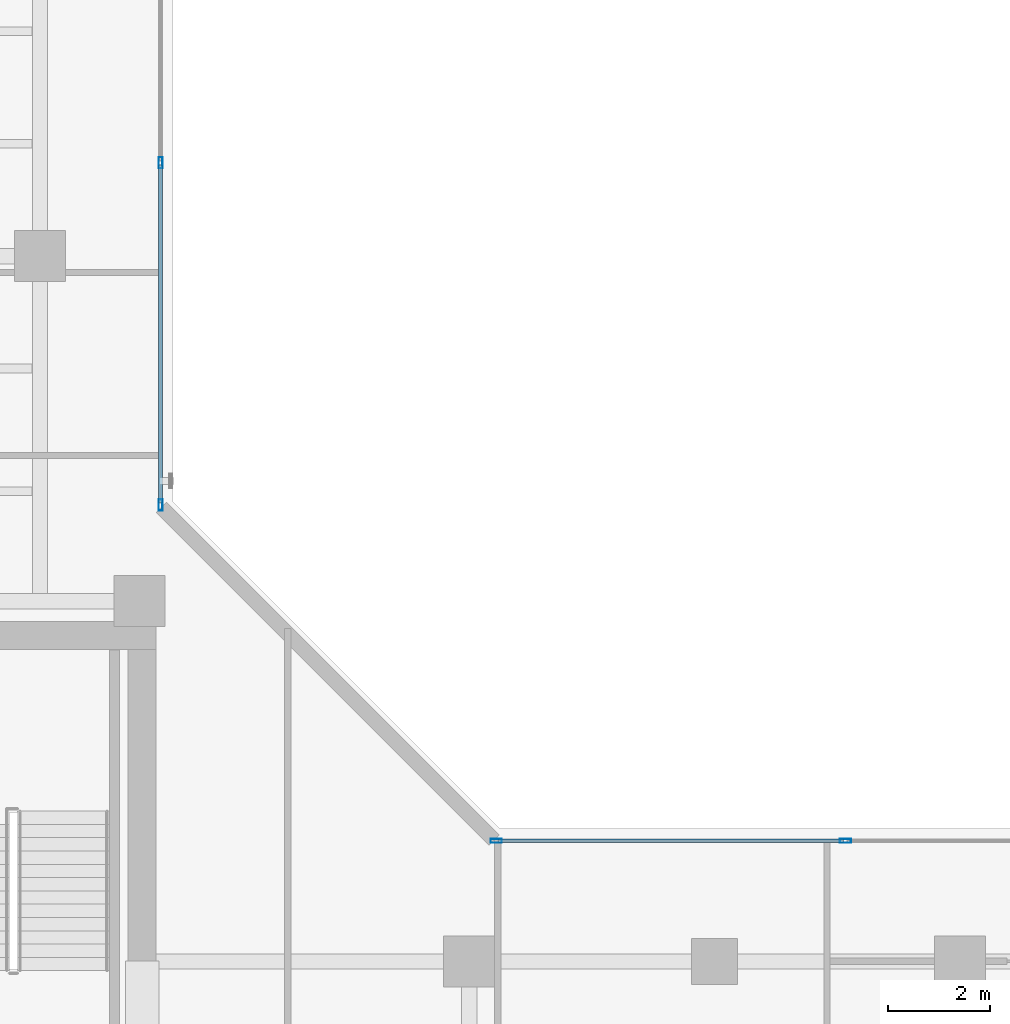
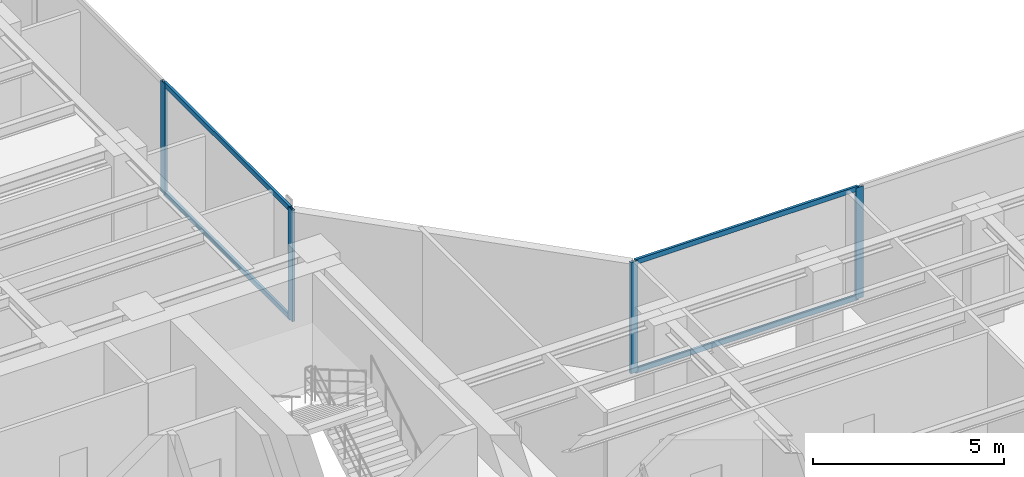
# One storey, part 10 of 23: 8 members, 2 elements without a shape of their own.
"""IFC4 building model written with IfcOpenShell, lengths in metres."""

from ifc_helpers import new_model, si_unit, direction, frame, origin, origin_with_axes, origin_2d, place, context, subcontext, project, spatial, hollow_rectangle, extrude, source, transform, mapped, material, layer, layer_set, material_profile, profile_set, type_object, element, aggregate, save


model = new_model("IFC4")

# Units and contexts
model_context = context("Model", 3, precision=1e-05, world=origin(), true_north=direction((0.0, 1.0)))
body_context = subcontext(model_context, "Body", "Model", "MODEL_VIEW")
ifc_project = project(units=[si_unit("LENGTHUNIT", "METRE"), si_unit("AREAUNIT", "SQUARE_METRE"), si_unit("VOLUMEUNIT", "CUBIC_METRE"), si_unit("PLANEANGLEUNIT", "RADIAN"), si_unit("MASSUNIT", "GRAM", prefix="KILO")], contexts=[model_context])

# Site, building, storey
site_placement = place(None, origin())
site = spatial("IfcSite", under=ifc_project, at=site_placement, CompositionType="ELEMENT")
building_placement = place(site_placement, origin())
building = spatial("IfcBuilding", under=site, at=building_placement, Name="Kolvaren Waterfront Exchange", CompositionType="ELEMENT")
storey_placement = place(building_placement, frame((0.0, 0.0, 231.10009765625)))
storey = spatial("IfcBuildingStorey", under=building, at=storey_placement, Name="L59", CompositionType="ELEMENT", Elevation=231.10009765625)

# Curtain wall, members
ifc_material_1 = material(Name="Anodised bronze aluminium 6063-T6", Category="aluminium")
ifc_layer = layer(ifc_material_1, 0.219970703125, Name="Anodised bronze aluminium 6063-T6")
ifc_layer_set = layer_set([ifc_layer], Name="Anodised bronze aluminium 6063-T6")
curtain_wall_type = type_object("IfcCurtainWallType", Name="ARC-CW-SYS1", PredefinedType="USERDEFINED", material=ifc_layer_set)
curtain_wall_1_placement = place(storey_placement, origin())
curtain_wall_1 = element("IfcCurtainWall", 1, at=curtain_wall_1_placement, inside=storey, type_object=curtain_wall_type, Name="L59 stick curtain wall CW1 (CW-L59-NE)", ObjectType="STICK CURTAIN WALL", PredefinedType="USERDEFINED")
ifc_material_2 = material(Name="Anodised aluminium 6063-T6", Category="aluminium")
ifc_material_profile_1 = material_profile(ifc_material_2, hollow_rectangle(XDim=0.080078125, YDim=0.219970703125, WallThickness=0.0048828125, at=origin_2d()), Name="ALU-MUL-220x80x5")
ifc_profile_set_1 = profile_set([ifc_material_profile_1], Name="Anodised aluminium 6063-T6")
member_type_1 = type_object("IfcMemberType", Name="ARC-CWM-220", PredefinedType="MULLION", material=ifc_profile_set_1)
shared_shape_1 = source(origin_with_axes(), body_context, "Body", "SweptSolid", [
    extrude(hollow_rectangle(XDim=0.080078125, YDim=0.219970703125, WallThickness=0.0048828125, at=origin_2d()), origin(), (0.0, 0.0, 1.0), 3.559814453125),
])
member_1_placement = place(storey_placement, frame((21.159912109375, 26.330078125, 0.0), z_axis=(0.0, 0.0, 1.0), x_axis=(-1.0, 0.0, 0.0)))
member_1 = element("IfcMember", 2, at=member_1_placement, type_object=member_type_1, Name="CW1 mullion 1", PredefinedType="MULLION", context=body_context, shape_type="MappedRepresentation", body=[
    mapped(shared_shape_1, transform((0.0, 0.0, 0.0), x_axis=(1.0, 0.0, 0.0), y_axis=(0.0, 1.0, 0.0), z_axis=(0.0, 0.0, 1.0), scale=1.0)),
])
member_2_placement = place(storey_placement, frame((21.159912109375, 33.026611328125, 0.0), z_axis=(0.0, 0.0, 1.0), x_axis=(-1.0, 0.0, 0.0)))
member_2 = element("IfcMember", 3, at=member_2_placement, type_object=member_type_1, Name="CW1 mullion 2", PredefinedType="MULLION", context=body_context, shape_type="MappedRepresentation", body=[
    mapped(shared_shape_1, transform((0.0, 0.0, 0.0), x_axis=(1.0, 0.0, 0.0), y_axis=(0.0, 1.0, 0.0), z_axis=(0.0, 0.0, 1.0), scale=1.0)),
])

curtain_wall_2_placement = place(storey_placement, origin())
curtain_wall_2 = element("IfcCurtainWall", 4, at=curtain_wall_2_placement, inside=storey, type_object=curtain_wall_type, Name="L59 stick curtain wall CW1 (CW-L59-EN)", ObjectType="STICK CURTAIN WALL", PredefinedType="USERDEFINED")
member_3_placement = place(storey_placement, frame((27.72998046875, 19.760009765625, 0.0), z_axis=(0.0, 0.0, 1.0), x_axis=(0.0, 1.0, 0.0)))
member_3 = element("IfcMember", 5, at=member_3_placement, type_object=member_type_1, Name="CW1 mullion 1", PredefinedType="MULLION", context=body_context, shape_type="MappedRepresentation", body=[
    mapped(shared_shape_1, transform((0.0, 0.0, 0.0), x_axis=(1.0, 0.0, 0.0), y_axis=(0.0, 1.0, 0.0), z_axis=(0.0, 0.0, 1.0), scale=1.0)),
])
member_4_placement = place(storey_placement, frame((34.56005859375, 19.760009765625, 0.0), z_axis=(0.0, 0.0, 1.0), x_axis=(0.0, 1.0, 0.0)))
member_4 = element("IfcMember", 6, at=member_4_placement, type_object=member_type_1, Name="CW1 mullion 2", PredefinedType="MULLION", context=body_context, shape_type="MappedRepresentation", body=[
    mapped(shared_shape_1, transform((0.0, 0.0, 0.0), x_axis=(1.0, 0.0, 0.0), y_axis=(0.0, 1.0, 0.0), z_axis=(0.0, 0.0, 1.0), scale=1.0)),
])

# Member
ifc_material_profile_2 = material_profile(ifc_material_2, hollow_rectangle(XDim=0.074951171875, YDim=0.159912109375, WallThickness=0.00439453125, at=origin_2d()), Name="ALU-TRN-160x75x4.5")
ifc_profile_set_2 = profile_set([ifc_material_profile_2], Name="Anodised aluminium 6063-T6")
member_type_2 = type_object("IfcMemberType", Name="ARC-CWT-160", PredefinedType="USERDEFINED", material=ifc_profile_set_2)
shared_shape_2 = source(origin_with_axes(), body_context, "Body", "SweptSolid", [
    extrude(hollow_rectangle(XDim=0.074951171875, YDim=0.159912109375, WallThickness=0.00439453125, at=origin_2d()), origin(), (0.0, 0.0, 1.0), 6.616455078125),
])
member_5_placement = place(storey_placement, frame((21.159912109375, 26.3701171875, 0.037353515625), z_axis=(0.0, 1.0, 0.0), x_axis=(-1.0, 0.0, 0.0)))
member_5 = element("IfcMember", 7, at=member_5_placement, type_object=member_type_2, Name="CW1 transom 1.1", ObjectType="TRANSOM", PredefinedType="USERDEFINED", context=body_context, shape_type="MappedRepresentation", body=[
    mapped(shared_shape_2, transform((0.0, 0.0, 0.0), x_axis=(1.0, 0.0, 0.0), y_axis=(0.0, 1.0, 0.0), z_axis=(0.0, 0.0, 1.0), scale=1.0)),
])

member_6_placement = place(storey_placement, frame((21.159912109375, 26.3701171875, 3.5224609375), z_axis=(0.0, 1.0, 0.0), x_axis=(-1.0, 0.0, 0.0)))
member_6 = element("IfcMember", 8, at=member_6_placement, type_object=member_type_2, Name="CW1 transom 1.2", ObjectType="TRANSOM", PredefinedType="USERDEFINED", context=body_context, shape_type="MappedRepresentation", body=[
    mapped(shared_shape_2, transform((0.0, 0.0, 0.0), x_axis=(1.0, 0.0, 0.0), y_axis=(0.0, 1.0, 0.0), z_axis=(0.0, 0.0, 1.0), scale=1.0)),
])

aggregate(curtain_wall_1, [member_1, member_2, member_5, member_6])

shared_shape_3 = source(origin_with_axes(), body_context, "Body", "SweptSolid", [
    extrude(hollow_rectangle(XDim=0.074951171875, YDim=0.159912109375, WallThickness=0.00439453125, at=origin_2d()), origin(), (0.0, 0.0, 1.0), 6.75),
])
member_7_placement = place(storey_placement, frame((27.77001953125, 19.760009765625, 0.037353515625), z_axis=(1.0, 0.0, 0.0), x_axis=(0.0, 1.0, 0.0)))
member_7 = element("IfcMember", 9, at=member_7_placement, type_object=member_type_2, Name="CW1 transom 1.1", ObjectType="TRANSOM", PredefinedType="USERDEFINED", context=body_context, shape_type="MappedRepresentation", body=[
    mapped(shared_shape_3, transform((0.0, 0.0, 0.0), x_axis=(1.0, 0.0, 0.0), y_axis=(0.0, 1.0, 0.0), z_axis=(0.0, 0.0, 1.0), scale=1.0)),
])

member_8_placement = place(storey_placement, frame((27.77001953125, 19.760009765625, 3.5224609375), z_axis=(1.0, 0.0, 0.0), x_axis=(0.0, 1.0, 0.0)))
member_8 = element("IfcMember", 10, at=member_8_placement, type_object=member_type_2, Name="CW1 transom 1.2", ObjectType="TRANSOM", PredefinedType="USERDEFINED", context=body_context, shape_type="MappedRepresentation", body=[
    mapped(shared_shape_3, transform((0.0, 0.0, 0.0), x_axis=(1.0, 0.0, 0.0), y_axis=(0.0, 1.0, 0.0), z_axis=(0.0, 0.0, 1.0), scale=1.0)),
])

aggregate(curtain_wall_2, [member_3, member_4, member_7, member_8])

save(model, "model.ifc")
